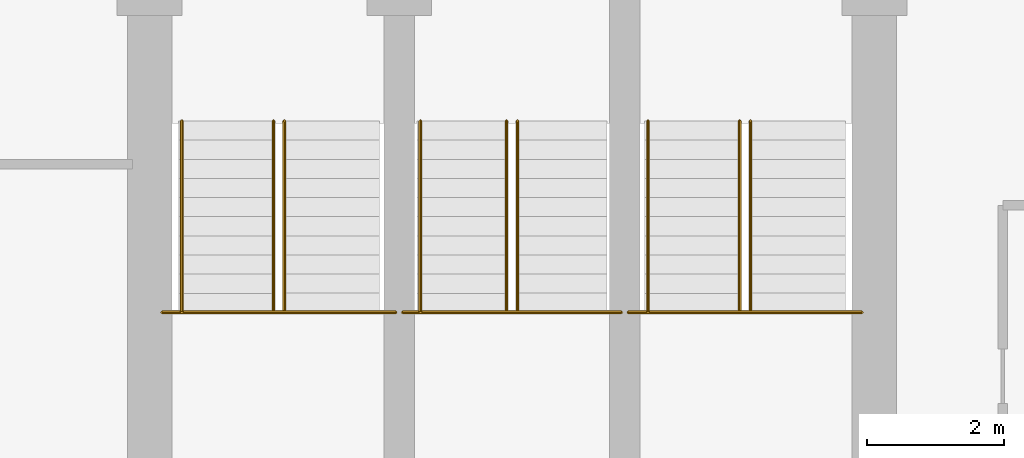
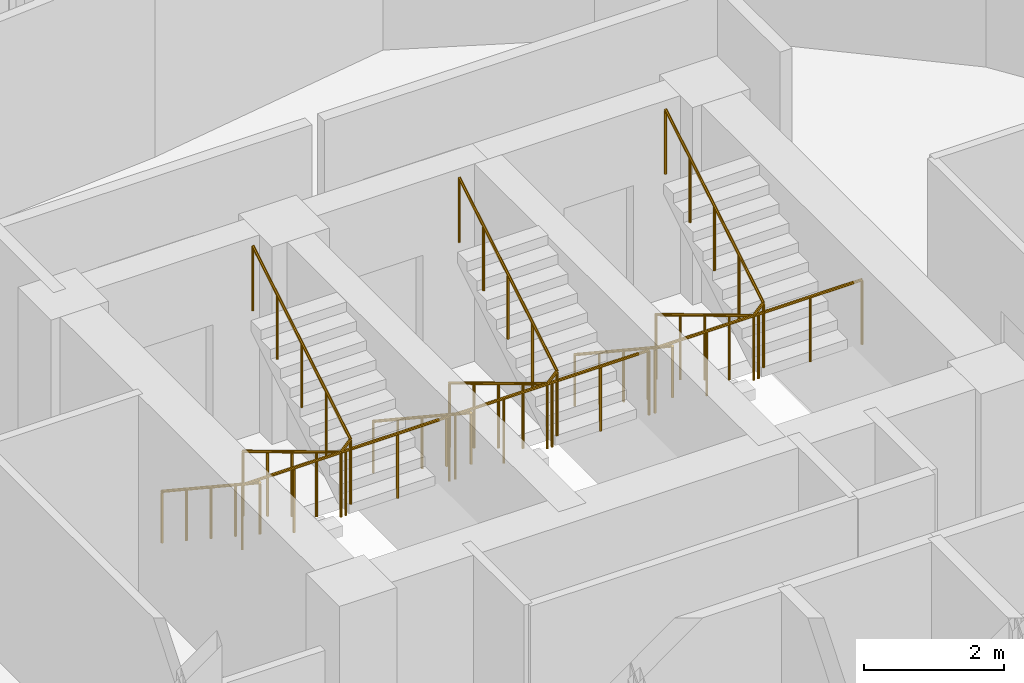
# One storey, part 26 of 26: 9 railings.
"""IFC4 building model written with IfcOpenShell, lengths in metres."""

from ifc_helpers import new_model, si_unit, direction, frame, origin, place, context, subcontext, project, spatial, polyline, outline, extrude, material, type_object, element, save


model = new_model("IFC4")

# Units and contexts
model_context = context("Model", 3, precision=1e-05, world=origin(), true_north=direction((0.0, 1.0)))
body_context = subcontext(model_context, "Body", "Model", "MODEL_VIEW")
ifc_project = project(units=[si_unit("LENGTHUNIT", "METRE"), si_unit("AREAUNIT", "SQUARE_METRE"), si_unit("VOLUMEUNIT", "CUBIC_METRE"), si_unit("PLANEANGLEUNIT", "RADIAN"), si_unit("MASSUNIT", "GRAM", prefix="KILO")], contexts=[model_context])

# Site, building, storey
site_placement = place(None, origin())
site = spatial("IfcSite", under=ifc_project, at=site_placement, CompositionType="ELEMENT")
building_placement = place(site_placement, origin())
building = spatial("IfcBuilding", under=site, at=building_placement, Name="Nuhasar Tower", CompositionType="ELEMENT")
storey_placement = place(building_placement, frame((0.0, 0.0, 184.85009765625)))
storey = spatial("IfcBuildingStorey", under=building, at=storey_placement, Name="L45", CompositionType="ELEMENT", Elevation=184.85009765625)

# Railings
ifc_material_1 = material(Name="Steel S355", Category="steel")
railing_type_1 = type_object("IfcRailingType", Name="RLG-STAIR-GUARD-1150", PredefinedType="GUARDRAIL", material=ifc_material_1)
railing_1_placement = place(storey_placement, frame((33.8798828125, 32.485107421875, 1.849853515625)))
element("IfcRailing", 1, at=railing_1_placement, inside=storey, type_object=railing_type_1, Name="L45 Stair ST-01 Guardrail LND", PredefinedType="GUARDRAIL", context=body_context, shape_type="SweptSolid", body=[
    extrude(outline(polyline([(0.024169921875, 0.0), (0.01708984375, 0.01708984375), (0.0, 0.024169921875), (-0.01708984375, 0.01708984375), (-0.024169921875, 0.0), (-0.01708984375, -0.01708984375), (0.0, -0.024169921875), (0.01708984375, -0.01708984375), (0.024169921875, 0.0)])), frame((0.0, 0.0, 1.1259765625), z_axis=(1.0, 0.0, 0.0), x_axis=(0.0, 1.0, 0.0)), (0.0, 0.0, 1.0), 3.420166015625),
    extrude(outline(polyline([(0.02099609375, 0.0), (0.014892578125, 0.014892578125), (0.0, 0.02099609375), (-0.014892578125, 0.014892578125), (-0.02099609375, 0.0), (-0.014892578125, -0.014892578125), (0.0, -0.02099609375), (0.014892578125, -0.014892578125), (0.02099609375, 0.0)])), origin(), (0.0, 0.0, 1.0), 1.101806640625),
    extrude(outline(polyline([(0.02099609375, 0.0), (0.014892578125, 0.014892578125), (0.0, 0.02099609375), (-0.014892578125, 0.014892578125), (-0.02099609375, 0.0), (-0.014892578125, -0.014892578125), (0.0, -0.02099609375), (0.014892578125, -0.014892578125), (0.02099609375, 0.0)])), frame((0.85498046875, 0.0, 0.0)), (0.0, 0.0, 1.0), 1.101806640625),
    extrude(outline(polyline([(0.02099609375, 0.0), (0.014892578125, 0.014892578125), (0.0, 0.02099609375), (-0.014892578125, 0.014892578125), (-0.02099609375, 0.0), (-0.014892578125, -0.014892578125), (0.0, -0.02099609375), (0.014892578125, -0.014892578125), (0.02099609375, 0.0)])), frame((1.7099609375, 0.0, 0.0)), (0.0, 0.0, 1.0), 1.101806640625),
    extrude(outline(polyline([(0.02099609375, 0.0), (0.014892578125, 0.014892578125), (0.0, 0.02099609375), (-0.014892578125, 0.014892578125), (-0.02099609375, 0.0), (-0.014892578125, -0.014892578125), (0.0, -0.02099609375), (0.014892578125, -0.014892578125), (0.02099609375, 0.0)])), frame((2.565185546875, 0.0, 0.0)), (0.0, 0.0, 1.0), 1.101806640625),
    extrude(outline(polyline([(0.02099609375, 0.0), (0.014892578125, 0.014892578125), (0.0, 0.02099609375), (-0.014892578125, 0.014892578125), (-0.02099609375, 0.0), (-0.014892578125, -0.014892578125), (0.0, -0.02099609375), (0.014892578125, -0.014892578125), (0.02099609375, 0.0)])), frame((3.420166015625, 0.0, 0.0)), (0.0, 0.0, 1.0), 1.101806640625),
])
railing_2_placement = place(storey_placement, frame((35.510009765625, 35.284912109375, 0.16796875)))
element("IfcRailing", 2, at=railing_2_placement, inside=storey, type_object=railing_type_1, Name="L45 Stair ST-01 Guardrail SLT", PredefinedType="GUARDRAIL", context=body_context, shape_type="SweptSolid", body=[
    extrude(outline(polyline([(0.024169921875, 0.0), (0.01708984375, 0.01708984375), (0.0, 0.024169921875), (-0.01708984375, 0.01708984375), (-0.024169921875, 0.0), (-0.01708984375, -0.01708984375), (0.0, -0.024169921875), (0.01708984375, -0.01708984375), (0.024169921875, 0.0)])), frame((0.0, 0.0, 1.1259765625), z_axis=(0.0, -0.857222391501, 0.514946377315), x_axis=(1.0, 0.0, 0.0)), (0.0, 0.0, 1.0), 3.26611328125),
    extrude(outline(polyline([(0.024169921875, 0.0), (0.01708984375, 0.01708984375), (0.0, 0.024169921875), (-0.01708984375, 0.01708984375), (-0.024169921875, 0.0), (-0.01708984375, -0.01708984375), (0.0, -0.024169921875), (0.01708984375, -0.01708984375), (0.024169921875, 0.0)])), frame((0.0, -2.7998046875, 2.8076171875), z_axis=(0.689523729023, 0.0, 0.72426309247), x_axis=(0.0, 1.0, 0.0)), (0.0, 0.0, 1.0), 0.23193359375),
    extrude(outline(polyline([(0.024169921875, 0.0), (0.01708984375, 0.01708984375), (0.0, 0.024169921875), (-0.01708984375, 0.01708984375), (-0.024169921875, 0.0), (-0.01708984375, -0.01708984375), (0.0, -0.024169921875), (0.01708984375, -0.01708984375), (0.024169921875, 0.0)])), frame((0.159912109375, -2.7998046875, 2.9755859375), z_axis=(0.0, 0.857189395008, 0.515001302023), x_axis=(-1.0, 0.0, 0.0)), (0.0, 0.0, 1.0), 3.266357421875),
    extrude(outline(polyline([(0.02099609375, 0.0), (0.014892578125, 0.014892578125), (0.0, 0.02099609375), (-0.014892578125, 0.014892578125), (-0.02099609375, 0.0), (-0.014892578125, -0.014892578125), (0.0, -0.02099609375), (0.014892578125, -0.014892578125), (0.02099609375, 0.0)])), origin(), (0.0, 0.0, 1.0), 1.101806640625),
    extrude(outline(polyline([(0.02099609375, 0.0), (0.014892578125, 0.014892578125), (0.0, 0.02099609375), (-0.014892578125, 0.014892578125), (-0.02099609375, 0.0), (-0.014892578125, -0.014892578125), (0.0, -0.02099609375), (0.014892578125, -0.014892578125), (0.02099609375, 0.0)])), frame((0.0, -0.699951171875, 0.42041015625)), (0.0, 0.0, 1.0), 1.101806640625),
    extrude(outline(polyline([(0.02099609375, 0.0), (0.014892578125, 0.014892578125), (0.0, 0.02099609375), (-0.014892578125, 0.014892578125), (-0.02099609375, 0.0), (-0.014892578125, -0.014892578125), (0.0, -0.02099609375), (0.014892578125, -0.014892578125), (0.02099609375, 0.0)])), frame((0.0, -1.39990234375, 0.8408203125)), (0.0, 0.0, 1.0), 1.101806640625),
    extrude(outline(polyline([(0.02099609375, 0.0), (0.014892578125, 0.014892578125), (0.0, 0.02099609375), (-0.014892578125, 0.014892578125), (-0.02099609375, 0.0), (-0.014892578125, -0.014892578125), (0.0, -0.02099609375), (0.014892578125, -0.014892578125), (0.02099609375, 0.0)])), frame((0.0, -2.099853515625, 1.261474609375)), (0.0, 0.0, 1.0), 1.101806640625),
    extrude(outline(polyline([(0.02099609375, 0.0), (0.014892578125, 0.014892578125), (0.0, 0.02099609375), (-0.014892578125, 0.014892578125), (-0.02099609375, 0.0), (-0.014892578125, -0.014892578125), (0.0, -0.02099609375), (0.014892578125, -0.014892578125), (0.02099609375, 0.0)])), frame((0.0, -2.7998046875, 1.681884765625)), (0.0, 0.0, 1.0), 1.101806640625),
    extrude(outline(polyline([(0.02099609375, 0.0), (0.014892578125, 0.014892578125), (0.0, 0.02099609375), (-0.014892578125, 0.014892578125), (-0.02099609375, 0.0), (-0.014892578125, -0.014892578125), (0.0, -0.02099609375), (0.014892578125, -0.014892578125), (0.02099609375, 0.0)])), frame((0.159912109375, -2.7998046875, 1.849853515625)), (0.0, 0.0, 1.0), 1.101806640625),
    extrude(outline(polyline([(0.02099609375, 0.0), (0.014892578125, 0.014892578125), (0.0, 0.02099609375), (-0.014892578125, 0.014892578125), (-0.02099609375, 0.0), (-0.014892578125, -0.014892578125), (0.0, -0.02099609375), (0.014892578125, -0.014892578125), (0.02099609375, 0.0)])), frame((0.159912109375, -2.099853515625, 2.2705078125)), (0.0, 0.0, 1.0), 1.101806640625),
    extrude(outline(polyline([(0.02099609375, 0.0), (0.014892578125, 0.014892578125), (0.0, 0.02099609375), (-0.014892578125, 0.014892578125), (-0.02099609375, 0.0), (-0.014892578125, -0.014892578125), (0.0, -0.02099609375), (0.014892578125, -0.014892578125), (0.02099609375, 0.0)])), frame((0.159912109375, -1.39990234375, 2.69091796875)), (0.0, 0.0, 1.0), 1.101806640625),
    extrude(outline(polyline([(0.02099609375, 0.0), (0.014892578125, 0.014892578125), (0.0, 0.02099609375), (-0.014892578125, 0.014892578125), (-0.02099609375, 0.0), (-0.014892578125, -0.014892578125), (0.0, -0.02099609375), (0.014892578125, -0.014892578125), (0.02099609375, 0.0)])), frame((0.159912109375, -0.699951171875, 3.111328125)), (0.0, 0.0, 1.0), 1.101806640625),
    extrude(outline(polyline([(0.02099609375, 0.0), (0.014892578125, 0.014892578125), (0.0, 0.02099609375), (-0.014892578125, 0.014892578125), (-0.02099609375, 0.0), (-0.014892578125, -0.014892578125), (0.0, -0.02099609375), (0.014892578125, -0.014892578125), (0.02099609375, 0.0)])), frame((0.159912109375, 0.0, 3.531982421875)), (0.0, 0.0, 1.0), 1.101806640625),
])
railing_3_placement = place(storey_placement, frame((37.39990234375, 32.485107421875, 1.849853515625)))
element("IfcRailing", 3, at=railing_3_placement, inside=storey, type_object=railing_type_1, Name="L45 Stair ST-03 Guardrail LND", PredefinedType="GUARDRAIL", context=body_context, shape_type="SweptSolid", body=[
    extrude(outline(polyline([(0.024169921875, 0.0), (0.01708984375, 0.01708984375), (0.0, 0.024169921875), (-0.01708984375, 0.01708984375), (-0.024169921875, 0.0), (-0.01708984375, -0.01708984375), (0.0, -0.024169921875), (0.01708984375, -0.01708984375), (0.024169921875, 0.0)])), frame((0.0, 0.0, 1.1259765625), z_axis=(1.0, 0.0, 0.0), x_axis=(0.0, 1.0, 0.0)), (0.0, 0.0, 1.0), 3.2001953125),
    extrude(outline(polyline([(0.02099609375, 0.0), (0.014892578125, 0.014892578125), (0.0, 0.02099609375), (-0.014892578125, 0.014892578125), (-0.02099609375, 0.0), (-0.014892578125, -0.014892578125), (0.0, -0.02099609375), (0.014892578125, -0.014892578125), (0.02099609375, 0.0)])), origin(), (0.0, 0.0, 1.0), 1.101806640625),
    extrude(outline(polyline([(0.02099609375, 0.0), (0.014892578125, 0.014892578125), (0.0, 0.02099609375), (-0.014892578125, 0.014892578125), (-0.02099609375, 0.0), (-0.014892578125, -0.014892578125), (0.0, -0.02099609375), (0.014892578125, -0.014892578125), (0.02099609375, 0.0)])), frame((0.800048828125, 0.0, 0.0)), (0.0, 0.0, 1.0), 1.101806640625),
    extrude(outline(polyline([(0.02099609375, 0.0), (0.014892578125, 0.014892578125), (0.0, 0.02099609375), (-0.014892578125, 0.014892578125), (-0.02099609375, 0.0), (-0.014892578125, -0.014892578125), (0.0, -0.02099609375), (0.014892578125, -0.014892578125), (0.02099609375, 0.0)])), frame((1.60009765625, 0.0, 0.0)), (0.0, 0.0, 1.0), 1.101806640625),
    extrude(outline(polyline([(0.02099609375, 0.0), (0.014892578125, 0.014892578125), (0.0, 0.02099609375), (-0.014892578125, 0.014892578125), (-0.02099609375, 0.0), (-0.014892578125, -0.014892578125), (0.0, -0.02099609375), (0.014892578125, -0.014892578125), (0.02099609375, 0.0)])), frame((2.400146484375, 0.0, 0.0)), (0.0, 0.0, 1.0), 1.101806640625),
    extrude(outline(polyline([(0.02099609375, 0.0), (0.014892578125, 0.014892578125), (0.0, 0.02099609375), (-0.014892578125, 0.014892578125), (-0.02099609375, 0.0), (-0.014892578125, -0.014892578125), (0.0, -0.02099609375), (0.014892578125, -0.014892578125), (0.02099609375, 0.0)])), frame((3.2001953125, 0.0, 0.0)), (0.0, 0.0, 1.0), 1.101806640625),
])
railing_4_placement = place(storey_placement, frame((38.919921875, 35.284912109375, 0.16796875)))
element("IfcRailing", 4, at=railing_4_placement, inside=storey, type_object=railing_type_1, Name="L45 Stair ST-03 Guardrail SLT", PredefinedType="GUARDRAIL", context=body_context, shape_type="SweptSolid", body=[
    extrude(outline(polyline([(0.024169921875, 0.0), (0.01708984375, 0.01708984375), (0.0, 0.024169921875), (-0.01708984375, 0.01708984375), (-0.024169921875, 0.0), (-0.01708984375, -0.01708984375), (0.0, -0.024169921875), (0.01708984375, -0.01708984375), (0.024169921875, 0.0)])), frame((0.0, 0.0, 1.1259765625), z_axis=(0.0, -0.857222391501, 0.514946377315), x_axis=(1.0, 0.0, 0.0)), (0.0, 0.0, 1.0), 3.26611328125),
    extrude(outline(polyline([(0.024169921875, 0.0), (0.01708984375, 0.01708984375), (0.0, 0.024169921875), (-0.01708984375, 0.01708984375), (-0.024169921875, 0.0), (-0.01708984375, -0.01708984375), (0.0, -0.024169921875), (0.01708984375, -0.01708984375), (0.024169921875, 0.0)])), frame((0.0, -2.7998046875, 2.8076171875), z_axis=(0.690075333573, 0.0, 0.723737544967), x_axis=(0.0, 1.0, 0.0)), (0.0, 0.0, 1.0), 0.232177734375),
    extrude(outline(polyline([(0.024169921875, 0.0), (0.01708984375, 0.01708984375), (0.0, 0.024169921875), (-0.01708984375, 0.01708984375), (-0.024169921875, 0.0), (-0.01708984375, -0.01708984375), (0.0, -0.024169921875), (0.01708984375, -0.01708984375), (0.024169921875, 0.0)])), frame((0.16015625, -2.7998046875, 2.9755859375), z_axis=(0.0, 0.857189395008, 0.515001302023), x_axis=(-1.0, 0.0, 0.0)), (0.0, 0.0, 1.0), 3.266357421875),
    extrude(outline(polyline([(0.02099609375, 0.0), (0.014892578125, 0.014892578125), (0.0, 0.02099609375), (-0.014892578125, 0.014892578125), (-0.02099609375, 0.0), (-0.014892578125, -0.014892578125), (0.0, -0.02099609375), (0.014892578125, -0.014892578125), (0.02099609375, 0.0)])), origin(), (0.0, 0.0, 1.0), 1.101806640625),
    extrude(outline(polyline([(0.02099609375, 0.0), (0.014892578125, 0.014892578125), (0.0, 0.02099609375), (-0.014892578125, 0.014892578125), (-0.02099609375, 0.0), (-0.014892578125, -0.014892578125), (0.0, -0.02099609375), (0.014892578125, -0.014892578125), (0.02099609375, 0.0)])), frame((0.0, -0.699951171875, 0.42041015625)), (0.0, 0.0, 1.0), 1.101806640625),
    extrude(outline(polyline([(0.02099609375, 0.0), (0.014892578125, 0.014892578125), (0.0, 0.02099609375), (-0.014892578125, 0.014892578125), (-0.02099609375, 0.0), (-0.014892578125, -0.014892578125), (0.0, -0.02099609375), (0.014892578125, -0.014892578125), (0.02099609375, 0.0)])), frame((0.0, -1.39990234375, 0.8408203125)), (0.0, 0.0, 1.0), 1.101806640625),
    extrude(outline(polyline([(0.02099609375, 0.0), (0.014892578125, 0.014892578125), (0.0, 0.02099609375), (-0.014892578125, 0.014892578125), (-0.02099609375, 0.0), (-0.014892578125, -0.014892578125), (0.0, -0.02099609375), (0.014892578125, -0.014892578125), (0.02099609375, 0.0)])), frame((0.0, -2.099853515625, 1.261474609375)), (0.0, 0.0, 1.0), 1.101806640625),
    extrude(outline(polyline([(0.02099609375, 0.0), (0.014892578125, 0.014892578125), (0.0, 0.02099609375), (-0.014892578125, 0.014892578125), (-0.02099609375, 0.0), (-0.014892578125, -0.014892578125), (0.0, -0.02099609375), (0.014892578125, -0.014892578125), (0.02099609375, 0.0)])), frame((0.0, -2.7998046875, 1.681884765625)), (0.0, 0.0, 1.0), 1.101806640625),
    extrude(outline(polyline([(0.02099609375, 0.0), (0.014892578125, 0.014892578125), (0.0, 0.02099609375), (-0.014892578125, 0.014892578125), (-0.02099609375, 0.0), (-0.014892578125, -0.014892578125), (0.0, -0.02099609375), (0.014892578125, -0.014892578125), (0.02099609375, 0.0)])), frame((0.16015625, -2.7998046875, 1.849853515625)), (0.0, 0.0, 1.0), 1.101806640625),
    extrude(outline(polyline([(0.02099609375, 0.0), (0.014892578125, 0.014892578125), (0.0, 0.02099609375), (-0.014892578125, 0.014892578125), (-0.02099609375, 0.0), (-0.014892578125, -0.014892578125), (0.0, -0.02099609375), (0.014892578125, -0.014892578125), (0.02099609375, 0.0)])), frame((0.16015625, -2.099853515625, 2.2705078125)), (0.0, 0.0, 1.0), 1.101806640625),
    extrude(outline(polyline([(0.02099609375, 0.0), (0.014892578125, 0.014892578125), (0.0, 0.02099609375), (-0.014892578125, 0.014892578125), (-0.02099609375, 0.0), (-0.014892578125, -0.014892578125), (0.0, -0.02099609375), (0.014892578125, -0.014892578125), (0.02099609375, 0.0)])), frame((0.16015625, -1.39990234375, 2.69091796875)), (0.0, 0.0, 1.0), 1.101806640625),
    extrude(outline(polyline([(0.02099609375, 0.0), (0.014892578125, 0.014892578125), (0.0, 0.02099609375), (-0.014892578125, 0.014892578125), (-0.02099609375, 0.0), (-0.014892578125, -0.014892578125), (0.0, -0.02099609375), (0.014892578125, -0.014892578125), (0.02099609375, 0.0)])), frame((0.16015625, -0.699951171875, 3.111328125)), (0.0, 0.0, 1.0), 1.101806640625),
    extrude(outline(polyline([(0.02099609375, 0.0), (0.014892578125, 0.014892578125), (0.0, 0.02099609375), (-0.014892578125, 0.014892578125), (-0.02099609375, 0.0), (-0.014892578125, -0.014892578125), (0.0, -0.02099609375), (0.014892578125, -0.014892578125), (0.02099609375, 0.0)])), frame((0.16015625, 0.0, 3.531982421875)), (0.0, 0.0, 1.0), 1.101806640625),
])
railing_5_placement = place(storey_placement, frame((40.699951171875, 32.485107421875, 1.849853515625)))
element("IfcRailing", 5, at=railing_5_placement, inside=storey, type_object=railing_type_1, Name="L45 Stair ST-02 Guardrail LND", PredefinedType="GUARDRAIL", context=body_context, shape_type="SweptSolid", body=[
    extrude(outline(polyline([(0.024169921875, 0.0), (0.01708984375, 0.01708984375), (0.0, 0.024169921875), (-0.01708984375, 0.01708984375), (-0.024169921875, 0.0), (-0.01708984375, -0.01708984375), (0.0, -0.024169921875), (0.01708984375, -0.01708984375), (0.024169921875, 0.0)])), frame((0.0, 0.0, 1.1259765625), z_axis=(1.0, 0.0, 0.0), x_axis=(0.0, 1.0, 0.0)), (0.0, 0.0, 1.0), 3.420166015625),
    extrude(outline(polyline([(0.02099609375, 0.0), (0.014892578125, 0.014892578125), (0.0, 0.02099609375), (-0.014892578125, 0.014892578125), (-0.02099609375, 0.0), (-0.014892578125, -0.014892578125), (0.0, -0.02099609375), (0.014892578125, -0.014892578125), (0.02099609375, 0.0)])), origin(), (0.0, 0.0, 1.0), 1.101806640625),
    extrude(outline(polyline([(0.02099609375, 0.0), (0.014892578125, 0.014892578125), (0.0, 0.02099609375), (-0.014892578125, 0.014892578125), (-0.02099609375, 0.0), (-0.014892578125, -0.014892578125), (0.0, -0.02099609375), (0.014892578125, -0.014892578125), (0.02099609375, 0.0)])), frame((0.85498046875, 0.0, 0.0)), (0.0, 0.0, 1.0), 1.101806640625),
    extrude(outline(polyline([(0.02099609375, 0.0), (0.014892578125, 0.014892578125), (0.0, 0.02099609375), (-0.014892578125, 0.014892578125), (-0.02099609375, 0.0), (-0.014892578125, -0.014892578125), (0.0, -0.02099609375), (0.014892578125, -0.014892578125), (0.02099609375, 0.0)])), frame((1.7099609375, 0.0, 0.0)), (0.0, 0.0, 1.0), 1.101806640625),
    extrude(outline(polyline([(0.02099609375, 0.0), (0.014892578125, 0.014892578125), (0.0, 0.02099609375), (-0.014892578125, 0.014892578125), (-0.02099609375, 0.0), (-0.014892578125, -0.014892578125), (0.0, -0.02099609375), (0.014892578125, -0.014892578125), (0.02099609375, 0.0)])), frame((2.565185546875, 0.0, 0.0)), (0.0, 0.0, 1.0), 1.101806640625),
    extrude(outline(polyline([(0.02099609375, 0.0), (0.014892578125, 0.014892578125), (0.0, 0.02099609375), (-0.014892578125, 0.014892578125), (-0.02099609375, 0.0), (-0.014892578125, -0.014892578125), (0.0, -0.02099609375), (0.014892578125, -0.014892578125), (0.02099609375, 0.0)])), frame((3.420166015625, 0.0, 0.0)), (0.0, 0.0, 1.0), 1.101806640625),
])
railing_6_placement = place(storey_placement, frame((42.330078125, 35.284912109375, 0.16796875)))
element("IfcRailing", 6, at=railing_6_placement, inside=storey, type_object=railing_type_1, Name="L45 Stair ST-02 Guardrail SLT", PredefinedType="GUARDRAIL", context=body_context, shape_type="SweptSolid", body=[
    extrude(outline(polyline([(0.024169921875, 0.0), (0.01708984375, 0.01708984375), (0.0, 0.024169921875), (-0.01708984375, 0.01708984375), (-0.024169921875, 0.0), (-0.01708984375, -0.01708984375), (0.0, -0.024169921875), (0.01708984375, -0.01708984375), (0.024169921875, 0.0)])), frame((0.0, 0.0, 1.1259765625), z_axis=(0.0, -0.857222391501, 0.514946377315), x_axis=(1.0, 0.0, 0.0)), (0.0, 0.0, 1.0), 3.26611328125),
    extrude(outline(polyline([(0.024169921875, 0.0), (0.01708984375, 0.01708984375), (0.0, 0.024169921875), (-0.01708984375, 0.01708984375), (-0.024169921875, 0.0), (-0.01708984375, -0.01708984375), (0.0, -0.024169921875), (0.01708984375, -0.01708984375), (0.024169921875, 0.0)])), frame((0.0, -2.7998046875, 2.8076171875), z_axis=(0.689523729023, 0.0, 0.72426309247), x_axis=(0.0, 1.0, 0.0)), (0.0, 0.0, 1.0), 0.23193359375),
    extrude(outline(polyline([(0.024169921875, 0.0), (0.01708984375, 0.01708984375), (0.0, 0.024169921875), (-0.01708984375, 0.01708984375), (-0.024169921875, 0.0), (-0.01708984375, -0.01708984375), (0.0, -0.024169921875), (0.01708984375, -0.01708984375), (0.024169921875, 0.0)])), frame((0.159912109375, -2.7998046875, 2.9755859375), z_axis=(0.0, 0.857189395008, 0.515001302023), x_axis=(-1.0, 0.0, 0.0)), (0.0, 0.0, 1.0), 3.266357421875),
    extrude(outline(polyline([(0.02099609375, 0.0), (0.014892578125, 0.014892578125), (0.0, 0.02099609375), (-0.014892578125, 0.014892578125), (-0.02099609375, 0.0), (-0.014892578125, -0.014892578125), (0.0, -0.02099609375), (0.014892578125, -0.014892578125), (0.02099609375, 0.0)])), origin(), (0.0, 0.0, 1.0), 1.101806640625),
    extrude(outline(polyline([(0.02099609375, 0.0), (0.014892578125, 0.014892578125), (0.0, 0.02099609375), (-0.014892578125, 0.014892578125), (-0.02099609375, 0.0), (-0.014892578125, -0.014892578125), (0.0, -0.02099609375), (0.014892578125, -0.014892578125), (0.02099609375, 0.0)])), frame((0.0, -0.699951171875, 0.42041015625)), (0.0, 0.0, 1.0), 1.101806640625),
    extrude(outline(polyline([(0.02099609375, 0.0), (0.014892578125, 0.014892578125), (0.0, 0.02099609375), (-0.014892578125, 0.014892578125), (-0.02099609375, 0.0), (-0.014892578125, -0.014892578125), (0.0, -0.02099609375), (0.014892578125, -0.014892578125), (0.02099609375, 0.0)])), frame((0.0, -1.39990234375, 0.8408203125)), (0.0, 0.0, 1.0), 1.101806640625),
    extrude(outline(polyline([(0.02099609375, 0.0), (0.014892578125, 0.014892578125), (0.0, 0.02099609375), (-0.014892578125, 0.014892578125), (-0.02099609375, 0.0), (-0.014892578125, -0.014892578125), (0.0, -0.02099609375), (0.014892578125, -0.014892578125), (0.02099609375, 0.0)])), frame((0.0, -2.099853515625, 1.261474609375)), (0.0, 0.0, 1.0), 1.101806640625),
    extrude(outline(polyline([(0.02099609375, 0.0), (0.014892578125, 0.014892578125), (0.0, 0.02099609375), (-0.014892578125, 0.014892578125), (-0.02099609375, 0.0), (-0.014892578125, -0.014892578125), (0.0, -0.02099609375), (0.014892578125, -0.014892578125), (0.02099609375, 0.0)])), frame((0.0, -2.7998046875, 1.681884765625)), (0.0, 0.0, 1.0), 1.101806640625),
    extrude(outline(polyline([(0.02099609375, 0.0), (0.014892578125, 0.014892578125), (0.0, 0.02099609375), (-0.014892578125, 0.014892578125), (-0.02099609375, 0.0), (-0.014892578125, -0.014892578125), (0.0, -0.02099609375), (0.014892578125, -0.014892578125), (0.02099609375, 0.0)])), frame((0.159912109375, -2.7998046875, 1.849853515625)), (0.0, 0.0, 1.0), 1.101806640625),
    extrude(outline(polyline([(0.02099609375, 0.0), (0.014892578125, 0.014892578125), (0.0, 0.02099609375), (-0.014892578125, 0.014892578125), (-0.02099609375, 0.0), (-0.014892578125, -0.014892578125), (0.0, -0.02099609375), (0.014892578125, -0.014892578125), (0.02099609375, 0.0)])), frame((0.159912109375, -2.099853515625, 2.2705078125)), (0.0, 0.0, 1.0), 1.101806640625),
    extrude(outline(polyline([(0.02099609375, 0.0), (0.014892578125, 0.014892578125), (0.0, 0.02099609375), (-0.014892578125, 0.014892578125), (-0.02099609375, 0.0), (-0.014892578125, -0.014892578125), (0.0, -0.02099609375), (0.014892578125, -0.014892578125), (0.02099609375, 0.0)])), frame((0.159912109375, -1.39990234375, 2.69091796875)), (0.0, 0.0, 1.0), 1.101806640625),
    extrude(outline(polyline([(0.02099609375, 0.0), (0.014892578125, 0.014892578125), (0.0, 0.02099609375), (-0.014892578125, 0.014892578125), (-0.02099609375, 0.0), (-0.014892578125, -0.014892578125), (0.0, -0.02099609375), (0.014892578125, -0.014892578125), (0.02099609375, 0.0)])), frame((0.159912109375, -0.699951171875, 3.111328125)), (0.0, 0.0, 1.0), 1.101806640625),
    extrude(outline(polyline([(0.02099609375, 0.0), (0.014892578125, 0.014892578125), (0.0, 0.02099609375), (-0.014892578125, 0.014892578125), (-0.02099609375, 0.0), (-0.014892578125, -0.014892578125), (0.0, -0.02099609375), (0.014892578125, -0.014892578125), (0.02099609375, 0.0)])), frame((0.159912109375, 0.0, 3.531982421875)), (0.0, 0.0, 1.0), 1.101806640625),
])
ifc_material_2 = material(Name="Stainless Steel 316L", Category="steel")
railing_type_2 = type_object("IfcRailingType", Name="RLG-STAIR-HAND-920", PredefinedType="HANDRAIL", material=ifc_material_2)
railing_7_placement = place(storey_placement, frame((34.169921875, 35.284912109375, 0.16796875)))
element("IfcRailing", 7, at=railing_7_placement, inside=storey, type_object=railing_type_2, Name="L45 Stair ST-01 Handrail HND1", PredefinedType="HANDRAIL", context=body_context, shape_type="SweptSolid", body=[
    extrude(outline(polyline([(0.024169921875, 0.0), (0.01708984375, 0.01708984375), (0.0, 0.024169921875), (-0.01708984375, 0.01708984375), (-0.024169921875, 0.0), (-0.01708984375, -0.01708984375), (0.0, -0.024169921875), (0.01708984375, -0.01708984375), (0.024169921875, 0.0)])), frame((0.0, 0.0, 0.89599609375), z_axis=(0.0, -0.834337710781, 0.551253647941), x_axis=(1.0, 0.0, 0.0)), (0.0, 0.0, 1.0), 3.355712890625),
    extrude(outline(polyline([(0.02099609375, 0.0), (0.014892578125, 0.014892578125), (0.0, 0.02099609375), (-0.014892578125, 0.014892578125), (-0.02099609375, 0.0), (-0.014892578125, -0.014892578125), (0.0, -0.02099609375), (0.014892578125, -0.014892578125), (0.02099609375, 0.0)])), origin(), (0.0, 0.0, 1.0), 0.871826171875),
    extrude(outline(polyline([(0.02099609375, 0.0), (0.014892578125, 0.014892578125), (0.0, 0.02099609375), (-0.014892578125, 0.014892578125), (-0.02099609375, 0.0), (-0.014892578125, -0.014892578125), (0.0, -0.02099609375), (0.014892578125, -0.014892578125), (0.02099609375, 0.0)])), frame((0.0, -0.699951171875, 0.46240234375)), (0.0, 0.0, 1.0), 0.871826171875),
    extrude(outline(polyline([(0.02099609375, 0.0), (0.014892578125, 0.014892578125), (0.0, 0.02099609375), (-0.014892578125, 0.014892578125), (-0.02099609375, 0.0), (-0.014892578125, -0.014892578125), (0.0, -0.02099609375), (0.014892578125, -0.014892578125), (0.02099609375, 0.0)])), frame((0.0, -1.39990234375, 0.9248046875)), (0.0, 0.0, 1.0), 0.871826171875),
    extrude(outline(polyline([(0.02099609375, 0.0), (0.014892578125, 0.014892578125), (0.0, 0.02099609375), (-0.014892578125, 0.014892578125), (-0.02099609375, 0.0), (-0.014892578125, -0.014892578125), (0.0, -0.02099609375), (0.014892578125, -0.014892578125), (0.02099609375, 0.0)])), frame((0.0, -2.099853515625, 1.387451171875)), (0.0, 0.0, 1.0), 0.871826171875),
    extrude(outline(polyline([(0.02099609375, 0.0), (0.014892578125, 0.014892578125), (0.0, 0.02099609375), (-0.014892578125, 0.014892578125), (-0.02099609375, 0.0), (-0.014892578125, -0.014892578125), (0.0, -0.02099609375), (0.014892578125, -0.014892578125), (0.02099609375, 0.0)])), frame((0.0, -2.7998046875, 1.849853515625)), (0.0, 0.0, 1.0), 0.871826171875),
])
railing_8_placement = place(storey_placement, frame((37.659912109375, 35.284912109375, 0.16796875)))
element("IfcRailing", 8, at=railing_8_placement, inside=storey, type_object=railing_type_2, Name="L45 Stair ST-03 Handrail HND1", PredefinedType="HANDRAIL", context=body_context, shape_type="SweptSolid", body=[
    extrude(outline(polyline([(0.024169921875, 0.0), (0.01708984375, 0.01708984375), (0.0, 0.024169921875), (-0.01708984375, 0.01708984375), (-0.024169921875, 0.0), (-0.01708984375, -0.01708984375), (0.0, -0.024169921875), (0.01708984375, -0.01708984375), (0.024169921875, 0.0)])), frame((0.0, 0.0, 0.89599609375), z_axis=(0.0, -0.834337710781, 0.551253647941), x_axis=(1.0, 0.0, 0.0)), (0.0, 0.0, 1.0), 3.355712890625),
    extrude(outline(polyline([(0.02099609375, 0.0), (0.014892578125, 0.014892578125), (0.0, 0.02099609375), (-0.014892578125, 0.014892578125), (-0.02099609375, 0.0), (-0.014892578125, -0.014892578125), (0.0, -0.02099609375), (0.014892578125, -0.014892578125), (0.02099609375, 0.0)])), origin(), (0.0, 0.0, 1.0), 0.871826171875),
    extrude(outline(polyline([(0.02099609375, 0.0), (0.014892578125, 0.014892578125), (0.0, 0.02099609375), (-0.014892578125, 0.014892578125), (-0.02099609375, 0.0), (-0.014892578125, -0.014892578125), (0.0, -0.02099609375), (0.014892578125, -0.014892578125), (0.02099609375, 0.0)])), frame((0.0, -0.699951171875, 0.46240234375)), (0.0, 0.0, 1.0), 0.871826171875),
    extrude(outline(polyline([(0.02099609375, 0.0), (0.014892578125, 0.014892578125), (0.0, 0.02099609375), (-0.014892578125, 0.014892578125), (-0.02099609375, 0.0), (-0.014892578125, -0.014892578125), (0.0, -0.02099609375), (0.014892578125, -0.014892578125), (0.02099609375, 0.0)])), frame((0.0, -1.39990234375, 0.9248046875)), (0.0, 0.0, 1.0), 0.871826171875),
    extrude(outline(polyline([(0.02099609375, 0.0), (0.014892578125, 0.014892578125), (0.0, 0.02099609375), (-0.014892578125, 0.014892578125), (-0.02099609375, 0.0), (-0.014892578125, -0.014892578125), (0.0, -0.02099609375), (0.014892578125, -0.014892578125), (0.02099609375, 0.0)])), frame((0.0, -2.099853515625, 1.387451171875)), (0.0, 0.0, 1.0), 0.871826171875),
    extrude(outline(polyline([(0.02099609375, 0.0), (0.014892578125, 0.014892578125), (0.0, 0.02099609375), (-0.014892578125, 0.014892578125), (-0.02099609375, 0.0), (-0.014892578125, -0.014892578125), (0.0, -0.02099609375), (0.014892578125, -0.014892578125), (0.02099609375, 0.0)])), frame((0.0, -2.7998046875, 1.849853515625)), (0.0, 0.0, 1.0), 0.871826171875),
])
railing_9_placement = place(storey_placement, frame((40.989990234375, 35.284912109375, 0.16796875)))
element("IfcRailing", 9, at=railing_9_placement, inside=storey, type_object=railing_type_2, Name="L45 Stair ST-02 Handrail HND1", PredefinedType="HANDRAIL", context=body_context, shape_type="SweptSolid", body=[
    extrude(outline(polyline([(0.024169921875, 0.0), (0.01708984375, 0.01708984375), (0.0, 0.024169921875), (-0.01708984375, 0.01708984375), (-0.024169921875, 0.0), (-0.01708984375, -0.01708984375), (0.0, -0.024169921875), (0.01708984375, -0.01708984375), (0.024169921875, 0.0)])), frame((0.0, 0.0, 0.89599609375), z_axis=(0.0, -0.834337710781, 0.551253647941), x_axis=(1.0, 0.0, 0.0)), (0.0, 0.0, 1.0), 3.355712890625),
    extrude(outline(polyline([(0.02099609375, 0.0), (0.014892578125, 0.014892578125), (0.0, 0.02099609375), (-0.014892578125, 0.014892578125), (-0.02099609375, 0.0), (-0.014892578125, -0.014892578125), (0.0, -0.02099609375), (0.014892578125, -0.014892578125), (0.02099609375, 0.0)])), origin(), (0.0, 0.0, 1.0), 0.871826171875),
    extrude(outline(polyline([(0.02099609375, 0.0), (0.014892578125, 0.014892578125), (0.0, 0.02099609375), (-0.014892578125, 0.014892578125), (-0.02099609375, 0.0), (-0.014892578125, -0.014892578125), (0.0, -0.02099609375), (0.014892578125, -0.014892578125), (0.02099609375, 0.0)])), frame((0.0, -0.699951171875, 0.46240234375)), (0.0, 0.0, 1.0), 0.871826171875),
    extrude(outline(polyline([(0.02099609375, 0.0), (0.014892578125, 0.014892578125), (0.0, 0.02099609375), (-0.014892578125, 0.014892578125), (-0.02099609375, 0.0), (-0.014892578125, -0.014892578125), (0.0, -0.02099609375), (0.014892578125, -0.014892578125), (0.02099609375, 0.0)])), frame((0.0, -1.39990234375, 0.9248046875)), (0.0, 0.0, 1.0), 0.871826171875),
    extrude(outline(polyline([(0.02099609375, 0.0), (0.014892578125, 0.014892578125), (0.0, 0.02099609375), (-0.014892578125, 0.014892578125), (-0.02099609375, 0.0), (-0.014892578125, -0.014892578125), (0.0, -0.02099609375), (0.014892578125, -0.014892578125), (0.02099609375, 0.0)])), frame((0.0, -2.099853515625, 1.387451171875)), (0.0, 0.0, 1.0), 0.871826171875),
    extrude(outline(polyline([(0.02099609375, 0.0), (0.014892578125, 0.014892578125), (0.0, 0.02099609375), (-0.014892578125, 0.014892578125), (-0.02099609375, 0.0), (-0.014892578125, -0.014892578125), (0.0, -0.02099609375), (0.014892578125, -0.014892578125), (0.02099609375, 0.0)])), frame((0.0, -2.7998046875, 1.849853515625)), (0.0, 0.0, 1.0), 0.871826171875),
])

save(model, "model.ifc")
